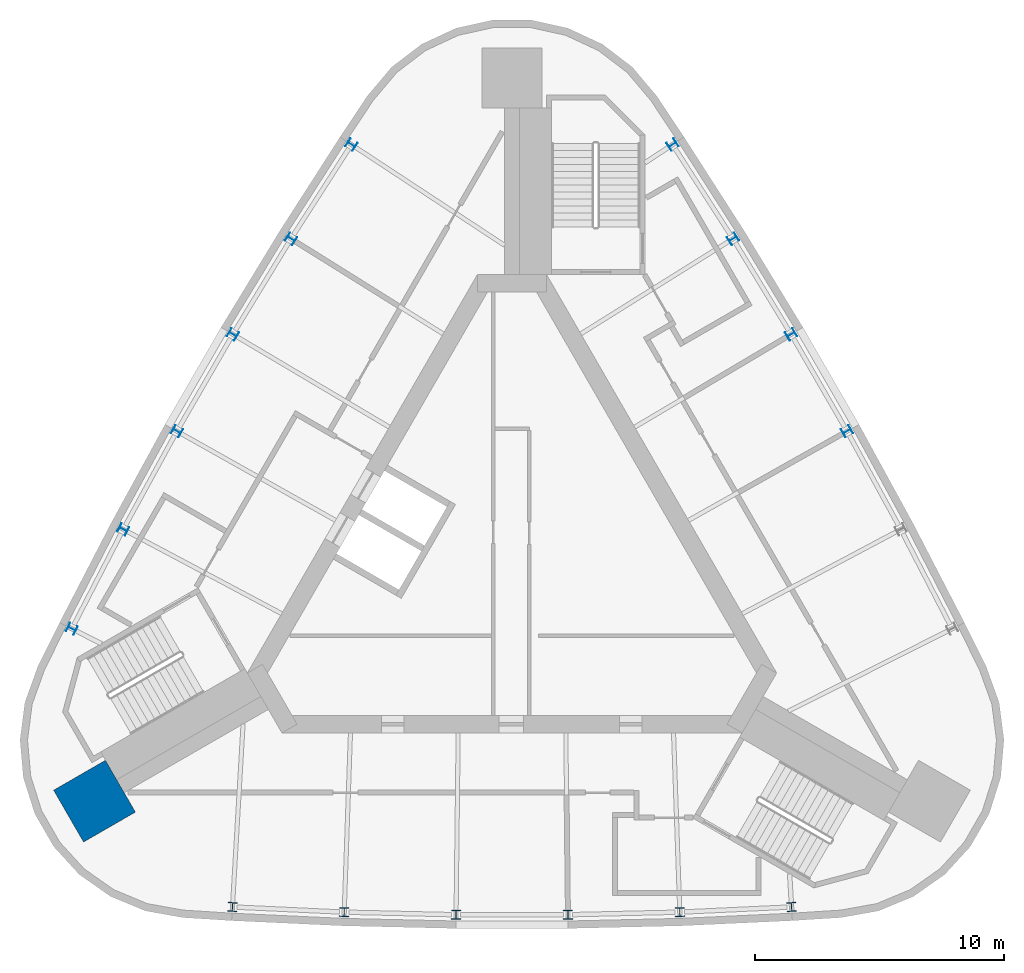
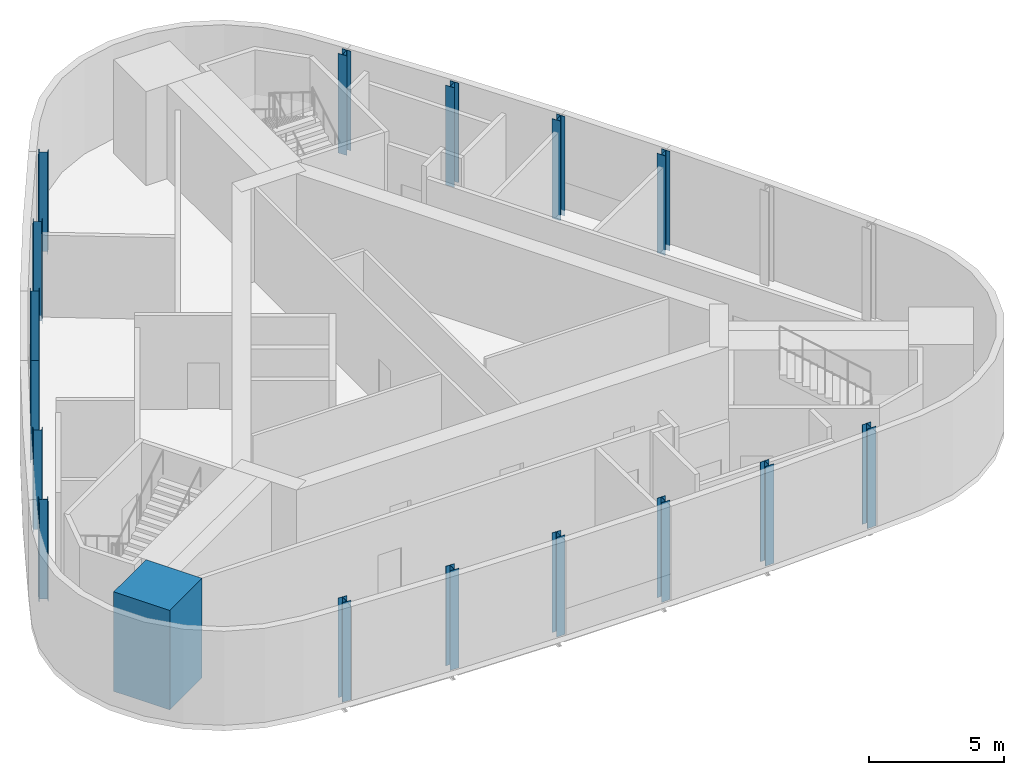
# One storey, part 1 of 7: 17 columns.
"""IFC4 building model written with IfcOpenShell, lengths in metres."""

from ifc_helpers import new_model, si_unit, direction, frame, origin, origin_2d, place, context, subcontext, project, spatial, rectangle, i_section, extrude, material, material_profile, profile_set, type_object, element, save


model = new_model("IFC4")

# Units and contexts
model_context = context("Model", 3, precision=1e-05, world=origin(), true_north=direction((0.0, 1.0)))
body_context = subcontext(model_context, "Body", "Model", "MODEL_VIEW")
ifc_project = project(units=[si_unit("LENGTHUNIT", "METRE"), si_unit("AREAUNIT", "SQUARE_METRE"), si_unit("VOLUMEUNIT", "CUBIC_METRE"), si_unit("PLANEANGLEUNIT", "RADIAN"), si_unit("MASSUNIT", "GRAM", prefix="KILO")], contexts=[model_context])

# Site, building, storey
site_placement = place(None, origin())
site = spatial("IfcSite", under=ifc_project, at=site_placement, CompositionType="ELEMENT")
building_placement = place(site_placement, origin())
building = spatial("IfcBuilding", under=site, at=building_placement, Name="Noor Cloister Tower", CompositionType="ELEMENT")
storey_placement = place(building_placement, frame((0.0, 0.0, 302.10009765625)))
storey = spatial("IfcBuildingStorey", under=building, at=storey_placement, Name="L76", CompositionType="ELEMENT", Elevation=302.10009765625)

# Columns
ifc_material_1 = material(Name="Steel ASTM A992 Gr 50", Category="steel")
ifc_material_profile_1 = material_profile(ifc_material_1, i_section(OverallWidth=0.367919921875, OverallDepth=0.35595703125, WebThickness=0.01123046875, FlangeThickness=0.01806640625, FilletRadius=0.015380859375, at=origin_2d()), Name="W360x134")
ifc_profile_set_1 = profile_set([ifc_material_profile_1], Name="Steel ASTM A992 Gr 50")
column_type_1 = type_object("IfcColumnType", Name="Column W360x134", PredefinedType="COLUMN", material=ifc_profile_set_1)
for number, where, z_axis, x_axis, name in (
    (1, (-6.441650390625, 16.66552734375, -0.25), (0.0, 0.0, 1.0), (-0.549344612048, -0.835595893488, 0.0), "Column NW 01 L76"),
    (2, (-8.863037109375, 12.8876953125, -0.25), (0.0, 0.0, 1.0), (-0.529819164802, -0.84811063701, 0.0), "Column NW 02 L76"),
    (3, (-11.196044921875, 9.0546875, -0.25), (0.0, 0.0, 1.0), (-0.51000874803, -0.860169214127, 0.0), "Column NW 03 L76"),
    (4, (-13.439697265625, 5.168701171875, -0.25), (0.0, 0.0, 1.0), (-0.489924016972, -0.87176513901, 0.0), "Column NW 04 L76"),
    (5, (-15.592529296875, 1.231689453125, -0.25), (0.0, 0.0, 1.0), (-0.469575774469, -0.882892174635, 0.0), "Column NW 05 L76"),
    (6, (-17.653564453125, -2.75390625, -0.25), (0.0, 0.0, 1.0), (-0.448974965035, -0.893544336209, 0.0), "Column NW 06 L76"),
    (7, (-11.2119140625, -13.911376953125, -0.25), (0.0, 0.0, 1.0), (0.998319577082, -0.057948442721, 0.0), "Column S 01 L76"),
    (8, (-6.7294921875, -14.119384765625, -0.25), (0.0, 0.0, 1.0), (0.999394939271, -0.034781537625, 0.0), "Column S 02 L76"),
    (9, (-2.24365234375, -14.2236328125, -0.25), (0.0, 0.0, 1.0), (0.999932765003, -0.011595924883, 0.0), "Column S 03 L76"),
    (10, (2.24365234375, -14.2236328125, -0.25), (0.0, 0.0, 1.0), (0.999932765003, 0.011595924883, 0.0), "Column S 04 L76"),
    (11, (6.7294921875, -14.119384765625, -0.25), (0.0, 0.0, 1.0), (0.999394939271, 0.034781537625, 0.0), "Column S 05 L76"),
    (12, (11.2119140625, -13.911376953125, -0.25), (0.0, 0.0, 1.0), (0.998319577082, 0.057948442721, 0.0), "Column S 06 L76"),
    (13, (13.439697265625, 5.168701171875, -0.25), (0.0, 0.0, 1.0), (-0.489924016972, 0.87176513901, 0.0), "Column NE 03 L76"),
    (14, (11.196044921875, 9.0546875, -0.25), (0.0, 0.0, 1.0), (-0.51000874803, 0.860169214127, 0.0), "Column NE 04 L76"),
    (15, (8.863037109375, 12.8876953125, -0.25), (0.0, 0.0, 1.0), (-0.529819164802, 0.84811063701, 0.0), "Column NE 05 L76"),
    (16, (6.441650390625, 16.66552734375, -0.25), (0.0, 0.0, 1.0), (-0.549344612048, 0.835595893488, 0.0), "Column NE 06 L76"),
):
    element("IfcColumn", number, at=place(storey_placement, frame(where, z_axis=z_axis, x_axis=x_axis)), inside=storey, type_object=column_type_1, Name=name, PredefinedType="COLUMN", context=body_context, shape_type="SweptSolid", body=[
        extrude(i_section(OverallWidth=0.367919921875, OverallDepth=0.35595703125, WebThickness=0.01123046875, FlangeThickness=0.01806640625, FilletRadius=0.015380859375, at=origin_2d()), origin(), (0.0, 0.0, 1.0), 4.5),
    ])
ifc_material_2 = material(Name="Concrete C50/60", Category="concrete")
ifc_material_profile_2 = material_profile(ifc_material_2, rectangle(XDim=2.39990234375, YDim=2.39990234375, at=origin_2d()), Name="RC 2400x2400")
ifc_profile_set_2 = profile_set([ifc_material_profile_2], Name="Concrete C50/60")
column_type_2 = type_object("IfcColumnType", Name="Corner pier 2400 x 2400 C50/60", PredefinedType="COLUMN", material=ifc_profile_set_2)
column_placement = place(storey_placement, frame((-16.74462890625, -9.66748046875, -0.25), z_axis=(0.0, 0.0, 1.0), x_axis=(-0.866025403784, -0.5, 0.0)))
element("IfcColumn", 17, at=column_placement, inside=storey, type_object=column_type_2, Name="Corner pier SW L76", PredefinedType="COLUMN", context=body_context, shape_type="SweptSolid", body=[
    extrude(rectangle(XDim=2.39990234375, YDim=2.39990234375, at=origin_2d()), origin(), (0.0, 0.0, 1.0), 4.5),
])

save(model, "model.ifc")
